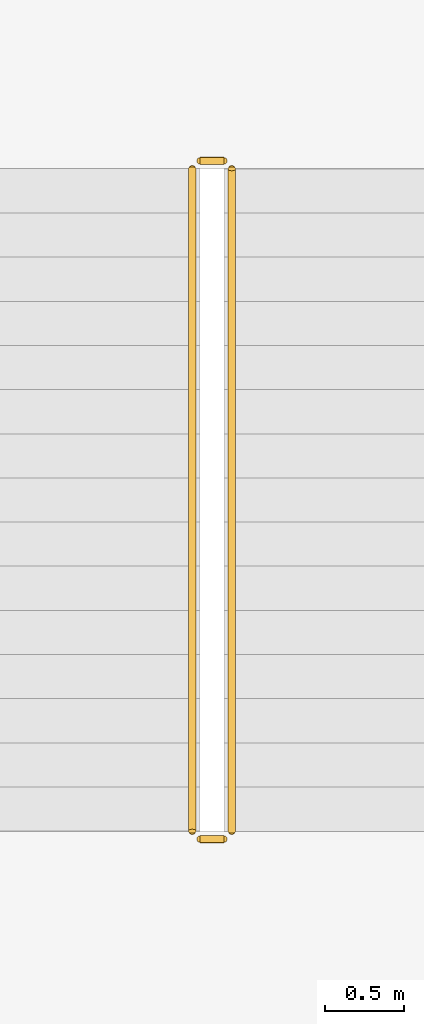
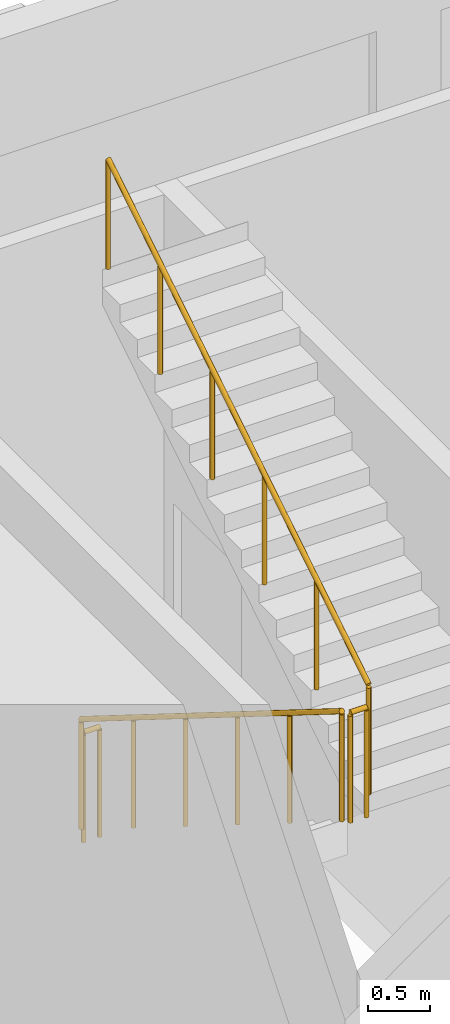
# One storey, part 24 of 24: 4 railings.
"""IFC4 building model written with IfcOpenShell, lengths in metres."""

from ifc_helpers import new_model, si_unit, direction, frame, origin, origin_2d, place, context, subcontext, project, spatial, circle, extrude, material, type_object, element, save


model = new_model("IFC4")

# Units and contexts
model_context = context("Model", 3, precision=1e-05, world=origin(), true_north=direction((0.0, 1.0)))
body_context = subcontext(model_context, "Body", "Model", "MODEL_VIEW")
ifc_project = project(units=[si_unit("LENGTHUNIT", "METRE"), si_unit("AREAUNIT", "SQUARE_METRE"), si_unit("VOLUMEUNIT", "CUBIC_METRE"), si_unit("PLANEANGLEUNIT", "RADIAN"), si_unit("MASSUNIT", "GRAM", prefix="KILO")], contexts=[model_context])

# Site, building, storey
site_placement = place(None, origin())
site = spatial("IfcSite", under=ifc_project, at=site_placement, CompositionType="ELEMENT")
building_placement = place(site_placement, origin())
building = spatial("IfcBuilding", under=site, at=building_placement, Name="Kawkab Arch Medical Tower", CompositionType="ELEMENT")
storey_placement = place(building_placement, frame((0.0, 0.0, 18.199951171875)))
storey = spatial("IfcBuildingStorey", under=building, at=storey_placement, Name="L04", CompositionType="ELEMENT", Elevation=18.199951171875)

# Railings
ifc_material = material(Name="Stainless steel", Category="steel")
railing_type = type_object("IfcRailingType", Name="Stair guard 1100", PredefinedType="GUARDRAIL", material=ifc_material)
railing_1_placement = place(storey_placement, frame((78.699951171875, -1.800048828125, 0.175048828125)))
element("IfcRailing", 1, at=railing_1_placement, inside=storey, type_object=railing_type, Name="L04 ST7 stair guard 1", PredefinedType="GUARDRAIL", context=body_context, shape_type="SweptSolid", body=[
    extrude(circle(Radius=0.02392578125, at=origin_2d()), frame((0.0, 0.0, 1.076171875), z_axis=(0.0, -0.847995534698, 0.530003370869), x_axis=(1.0, 0.0, 0.0)), (0.0, 0.0, 1.0), 4.952880859375),
    extrude(circle(Radius=0.02099609375, at=origin_2d()), origin(), (0.0, 0.0, 1.0), 1.052001953125),
    extrude(circle(Radius=0.02099609375, at=origin_2d()), frame((0.0, -0.840087890625, 0.52490234375)), (0.0, 0.0, 1.0), 1.052001953125),
    extrude(circle(Radius=0.02099609375, at=origin_2d()), frame((0.0, -1.679931640625, 1.050048828125)), (0.0, 0.0, 1.0), 1.052001953125),
    extrude(circle(Radius=0.02099609375, at=origin_2d()), frame((0.0, -2.52001953125, 1.574951171875)), (0.0, 0.0, 1.0), 1.052001953125),
    extrude(circle(Radius=0.02099609375, at=origin_2d()), frame((0.0, -3.35986328125, 2.10009765625)), (0.0, 0.0, 1.0), 1.052001953125),
    extrude(circle(Radius=0.02099609375, at=origin_2d()), frame((0.0, -4.199951171875, 2.625)), (0.0, 0.0, 1.0), 1.052001953125),
])
railing_2_placement = place(storey_placement, frame((78.75, -6.050048828125, 2.800048828125)))
element("IfcRailing", 2, at=railing_2_placement, inside=storey, type_object=railing_type, Name="L04 ST7 stair guard 2", PredefinedType="GUARDRAIL", context=body_context, shape_type="SweptSolid", body=[
    extrude(circle(Radius=0.02392578125, at=origin_2d()), frame((0.0, 0.0, 1.076171875), z_axis=(1.0, 0.0, 0.0), x_axis=(0.0, 1.0, 0.0)), (0.0, 0.0, 1.0), 0.14990234375),
    extrude(circle(Radius=0.02099609375, at=origin_2d()), origin(), (0.0, 0.0, 1.0), 1.052001953125),
    extrude(circle(Radius=0.02099609375, at=origin_2d()), frame((0.14990234375, 0.0, 0.0)), (0.0, 0.0, 1.0), 1.052001953125),
])
railing_3_placement = place(storey_placement, frame((78.949951171875, -6.0, 2.97509765625)))
element("IfcRailing", 3, at=railing_3_placement, inside=storey, type_object=railing_type, Name="L04 ST7 stair guard 3", PredefinedType="GUARDRAIL", context=body_context, shape_type="SweptSolid", body=[
    extrude(circle(Radius=0.02392578125, at=origin_2d()), frame((0.0, 0.0, 1.076171875), z_axis=(0.0, 0.847995534698, 0.530003370869), x_axis=(-1.0, 0.0, 0.0)), (0.0, 0.0, 1.0), 4.952880859375),
    extrude(circle(Radius=0.02099609375, at=origin_2d()), origin(), (0.0, 0.0, 1.0), 1.052001953125),
    extrude(circle(Radius=0.02099609375, at=origin_2d()), frame((0.0, 0.840087890625, 0.52490234375)), (0.0, 0.0, 1.0), 1.052001953125),
    extrude(circle(Radius=0.02099609375, at=origin_2d()), frame((0.0, 1.679931640625, 1.050048828125)), (0.0, 0.0, 1.0), 1.052001953125),
    extrude(circle(Radius=0.02099609375, at=origin_2d()), frame((0.0, 2.52001953125, 1.574951171875)), (0.0, 0.0, 1.0), 1.052001953125),
    extrude(circle(Radius=0.02099609375, at=origin_2d()), frame((0.0, 3.35986328125, 2.10009765625)), (0.0, 0.0, 1.0), 1.052001953125),
    extrude(circle(Radius=0.02099609375, at=origin_2d()), frame((0.0, 4.199951171875, 2.625)), (0.0, 0.0, 1.0), 1.052001953125),
])
railing_4_placement = place(storey_placement, frame((78.75, -1.75, 0.0)))
element("IfcRailing", 4, at=railing_4_placement, inside=storey, type_object=railing_type, Name="L04 ST7 stair guard 4", PredefinedType="GUARDRAIL", context=body_context, shape_type="SweptSolid", body=[
    extrude(circle(Radius=0.02392578125, at=origin_2d()), frame((0.0, 0.0, 1.076171875), z_axis=(1.0, 0.0, 0.0), x_axis=(0.0, 1.0, 0.0)), (0.0, 0.0, 1.0), 0.14990234375),
    extrude(circle(Radius=0.02099609375, at=origin_2d()), origin(), (0.0, 0.0, 1.0), 1.052001953125),
    extrude(circle(Radius=0.02099609375, at=origin_2d()), frame((0.14990234375, 0.0, 0.0)), (0.0, 0.0, 1.0), 1.052001953125),
])

save(model, "model.ifc")
